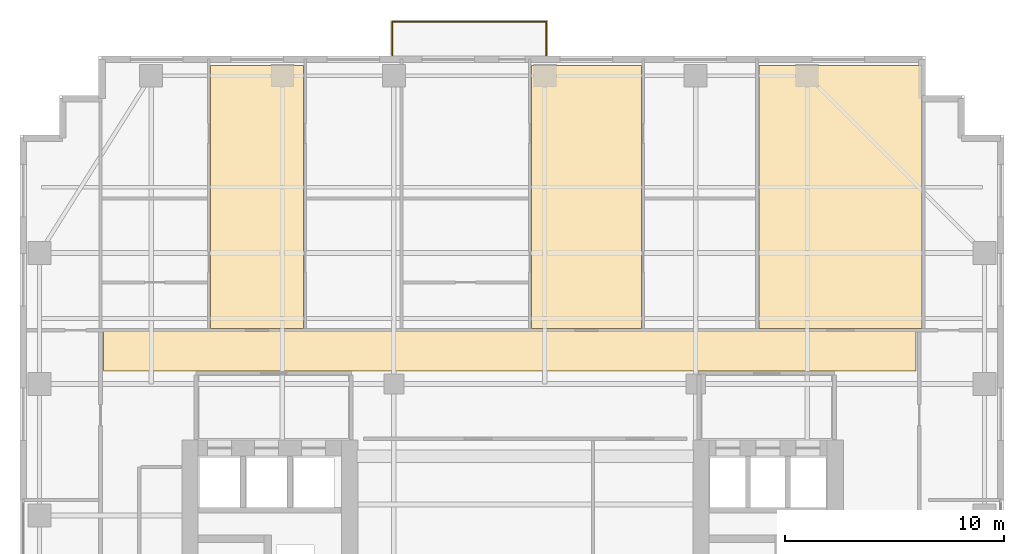
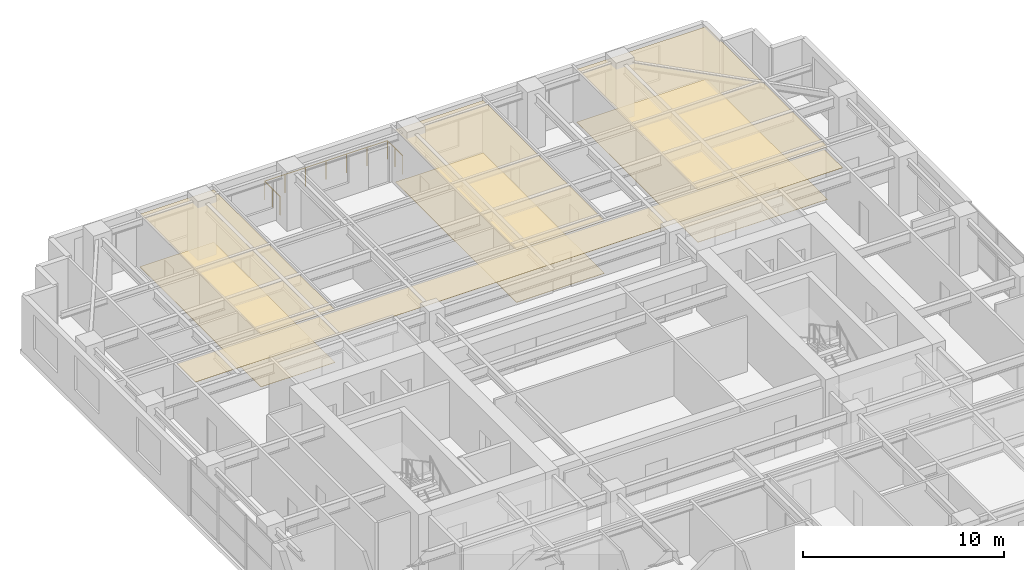
# One storey, part 16 of 16: 7 coverings, 1 railing.
"""IFC4 building model written with IfcOpenShell, lengths in metres."""

from ifc_helpers import new_model, si_unit, direction, frame, origin, origin_2d, place, context, subcontext, project, spatial, polyline, circle, outline, extrude, material, layer, layer_set, type_object, element, save


model = new_model("IFC4")

# Units and contexts
model_context = context("Model", 3, precision=1e-05, world=origin(), true_north=direction((0.0, 1.0)))
body_context = subcontext(model_context, "Body", "Model", "MODEL_VIEW")
ifc_project = project(units=[si_unit("LENGTHUNIT", "METRE"), si_unit("AREAUNIT", "SQUARE_METRE"), si_unit("VOLUMEUNIT", "CUBIC_METRE"), si_unit("PLANEANGLEUNIT", "RADIAN"), si_unit("MASSUNIT", "GRAM", prefix="KILO")], contexts=[model_context])

# Site, building, storey
site_placement = place(None, origin())
site = spatial("IfcSite", under=ifc_project, at=site_placement, CompositionType="ELEMENT")
building_placement = place(site_placement, origin())
building = spatial("IfcBuilding", under=site, at=building_placement, Name="Khoralis Quay Care Tower", CompositionType="ELEMENT")
storey_placement = place(building_placement, frame((0.0, 0.0, 137.699951171875)))
storey = spatial("IfcBuildingStorey", under=building, at=storey_placement, Name="L36", CompositionType="ELEMENT", Elevation=137.699951171875)

# Coverings
ifc_material_1 = material(Name="Mineral-fibre acoustic ceiling tile")
ifc_layer_1 = layer(ifc_material_1, 0.01806640625)
ifc_layer_set_1 = layer_set([ifc_layer_1], Name="Mineral-fibre acoustic ceiling tile")
covering_type_1 = type_object("IfcCoveringType", Name="COV-CEIL-AC18", PredefinedType="CEILING", material=ifc_layer_set_1)
covering_1_placement = place(storey_placement, frame((0.0, 0.0, 3.192138671875)))
element("IfcCovering", 1, at=covering_1_placement, inside=storey, type_object=covering_type_1, Name="Suspended Acoustic Ceiling SP-L36-CORR-N", PredefinedType="CEILING", context=body_context, shape_type="SweptSolid", body=[
    extrude(outline(polyline([(3.820068359375, 30.590087890625), (40.97998046875, 30.590087890625), (40.97998046875, 32.419921875), (3.820068359375, 32.419921875), (3.820068359375, 30.590087890625)])), origin(), (0.0, 0.0, 1.0), 0.017822265625),
])
covering_2_placement = place(storey_placement, frame((0.0, 0.0, 3.192138671875)))
element("IfcCovering", 2, at=covering_2_placement, inside=storey, type_object=covering_type_1, Name="Suspended Acoustic Ceiling SP-L36-NB-F2LIV0", PredefinedType="CEILING", context=body_context, shape_type="SweptSolid", body=[
    extrude(outline(polyline([(8.717041015625, 32.5400390625), (12.964111328125, 32.5400390625), (12.964111328125, 44.580078125), (8.717041015625, 44.580078125), (8.717041015625, 32.5400390625)])), origin(), (0.0, 0.0, 1.0), 0.017822265625),
])
covering_3_placement = place(storey_placement, frame((0.0, 0.0, 3.192138671875)))
element("IfcCovering", 3, at=covering_3_placement, inside=storey, type_object=covering_type_1, Name="Suspended Acoustic Ceiling SP-L36-NB-F2LIV1", PredefinedType="CEILING", context=body_context, shape_type="SweptSolid", body=[
    extrude(outline(polyline([(23.384033203125, 32.5400390625), (28.427001953125, 32.5400390625), (28.427001953125, 44.580078125), (23.384033203125, 44.580078125), (23.384033203125, 32.5400390625)])), origin(), (0.0, 0.0, 1.0), 0.017822265625),
])
covering_4_placement = place(storey_placement, frame((0.0, 0.0, 3.192138671875)))
element("IfcCovering", 4, at=covering_4_placement, inside=storey, type_object=covering_type_1, Name="Suspended Acoustic Ceiling SP-L36-NB-COM2", PredefinedType="CEILING", context=body_context, shape_type="SweptSolid", body=[
    extrude(outline(polyline([(33.7900390625, 32.5400390625), (41.239990234375, 32.5400390625), (41.239990234375, 44.580078125), (33.7900390625, 44.580078125), (33.7900390625, 32.5400390625)])), origin(), (0.0, 0.0, 1.0), 0.017822265625),
])
ifc_material_2 = material(Name="Porcelain and non-slip vinyl flooring")
ifc_layer_2 = layer(ifc_material_2, 0.02001953125)
ifc_layer_set_2 = layer_set([ifc_layer_2], Name="Porcelain and non-slip vinyl flooring")
covering_type_2 = type_object("IfcCoveringType", Name="COV-FLOOR-20", PredefinedType="FLOORING", material=ifc_layer_set_2)
covering_5_placement = place(storey_placement, origin())
element("IfcCovering", 5, at=covering_5_placement, inside=storey, type_object=covering_type_2, Name="Resilient Healthcare Flooring SP-L36-NB-F2LIV0", PredefinedType="FLOORING", context=body_context, shape_type="SweptSolid", body=[
    extrude(outline(polyline([(8.717041015625, 32.5400390625), (12.964111328125, 32.5400390625), (12.964111328125, 44.580078125), (8.717041015625, 44.580078125), (8.717041015625, 32.5400390625)])), origin(), (0.0, 0.0, 1.0), 0.02001953125),
])
covering_6_placement = place(storey_placement, origin())
element("IfcCovering", 6, at=covering_6_placement, inside=storey, type_object=covering_type_2, Name="Resilient Healthcare Flooring SP-L36-NB-F2LIV1", PredefinedType="FLOORING", context=body_context, shape_type="SweptSolid", body=[
    extrude(outline(polyline([(23.384033203125, 32.5400390625), (28.427001953125, 32.5400390625), (28.427001953125, 44.580078125), (23.384033203125, 44.580078125), (23.384033203125, 32.5400390625)])), origin(), (0.0, 0.0, 1.0), 0.02001953125),
])
covering_7_placement = place(storey_placement, origin())
element("IfcCovering", 7, at=covering_7_placement, inside=storey, type_object=covering_type_2, Name="Resilient Healthcare Flooring SP-L36-NB-COM2", PredefinedType="FLOORING", context=body_context, shape_type="SweptSolid", body=[
    extrude(outline(polyline([(33.7900390625, 32.5400390625), (41.239990234375, 32.5400390625), (41.239990234375, 44.580078125), (33.7900390625, 44.580078125), (33.7900390625, 32.5400390625)])), origin(), (0.0, 0.0, 1.0), 0.02001953125),
])

# Railing
ifc_material_3 = material(Name="Pale anodised aluminium", Category="aluminium")
railing_type = type_object("IfcRailingType", Name="RL-BALUST-1150", PredefinedType="BALUSTRADE", material=ifc_material_3)
railing_placement = place(storey_placement, frame((17.030029296875, 45.0400390625, -0.0400390625)))
element("IfcRailing", 8, at=railing_placement, inside=storey, type_object=railing_type, Name="L36 Senior Loggia Balcony Guard", PredefinedType="BALUSTRADE", context=body_context, shape_type="SweptSolid", body=[
    extrude(circle(Radius=0.02392578125, at=origin_2d()), frame((0.0, 0.0, 1.1259765625), z_axis=(0.0, 1.0, 0.0), x_axis=(-1.0, 0.0, 0.0)), (0.0, 0.0, 1.0), 1.530029296875),
    extrude(circle(Radius=0.02392578125, at=origin_2d()), frame((0.0, 1.530029296875, 1.1259765625), z_axis=(1.0, 0.0, 0.0), x_axis=(0.0, 1.0, 0.0)), (0.0, 0.0, 1.0), 7.0400390625),
    extrude(circle(Radius=0.02392578125, at=origin_2d()), frame((7.0400390625, 1.530029296875, 1.1259765625), z_axis=(0.0, -1.0, 0.0), x_axis=(1.0, 0.0, 0.0)), (0.0, 0.0, 1.0), 1.530029296875),
    extrude(circle(Radius=0.02099609375, at=origin_2d()), origin(), (0.0, 0.0, 1.0), 1.101806640625),
    extrude(circle(Radius=0.02099609375, at=origin_2d()), frame((0.0, 0.76513671875, 0.0)), (0.0, 0.0, 1.0), 1.101806640625),
    extrude(circle(Radius=0.02099609375, at=origin_2d()), frame((0.0, 1.530029296875, 0.0)), (0.0, 0.0, 1.0), 1.101806640625),
    extrude(circle(Radius=0.02099609375, at=origin_2d()), frame((1.17333984375, 1.530029296875, 0.0)), (0.0, 0.0, 1.0), 1.101806640625),
    extrude(circle(Radius=0.02099609375, at=origin_2d()), frame((2.3466796875, 1.530029296875, 0.0)), (0.0, 0.0, 1.0), 1.101806640625),
    extrude(circle(Radius=0.02099609375, at=origin_2d()), frame((3.52001953125, 1.530029296875, 0.0)), (0.0, 0.0, 1.0), 1.101806640625),
    extrude(circle(Radius=0.02099609375, at=origin_2d()), frame((4.693359375, 1.530029296875, 0.0)), (0.0, 0.0, 1.0), 1.101806640625),
    extrude(circle(Radius=0.02099609375, at=origin_2d()), frame((5.86669921875, 1.530029296875, 0.0)), (0.0, 0.0, 1.0), 1.101806640625),
    extrude(circle(Radius=0.02099609375, at=origin_2d()), frame((7.0400390625, 1.530029296875, 0.0)), (0.0, 0.0, 1.0), 1.101806640625),
    extrude(circle(Radius=0.02099609375, at=origin_2d()), frame((7.0400390625, 0.76513671875, 0.0)), (0.0, 0.0, 1.0), 1.101806640625),
    extrude(circle(Radius=0.02099609375, at=origin_2d()), frame((7.0400390625, 0.0, 0.0)), (0.0, 0.0, 1.0), 1.101806640625),
])

save(model, "model.ifc")
